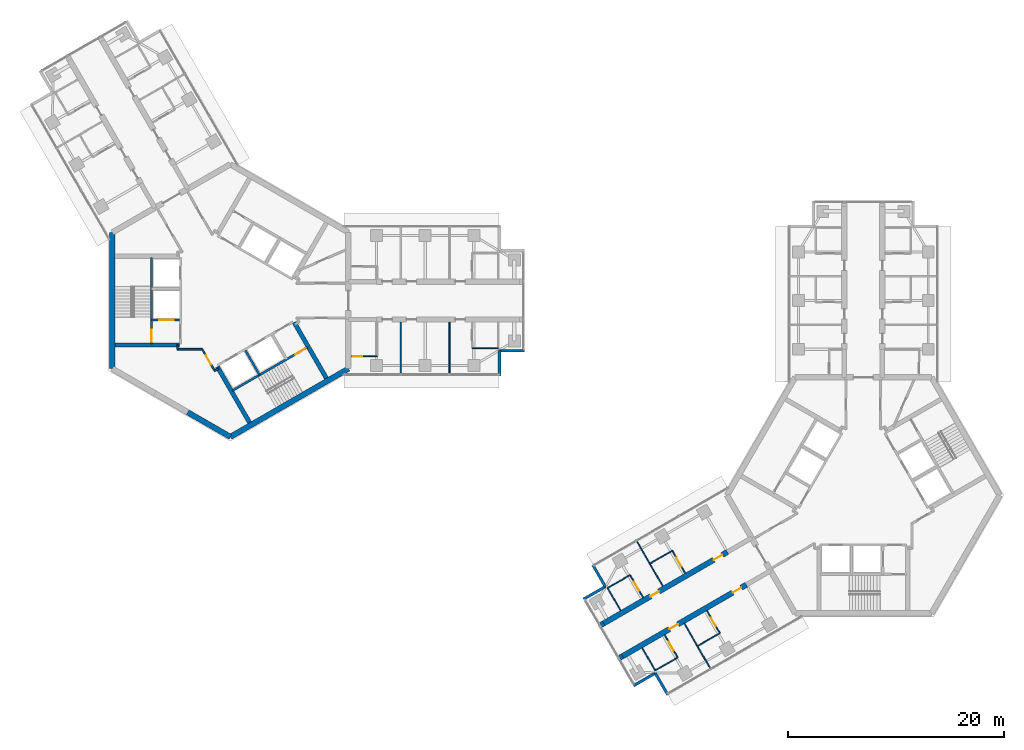
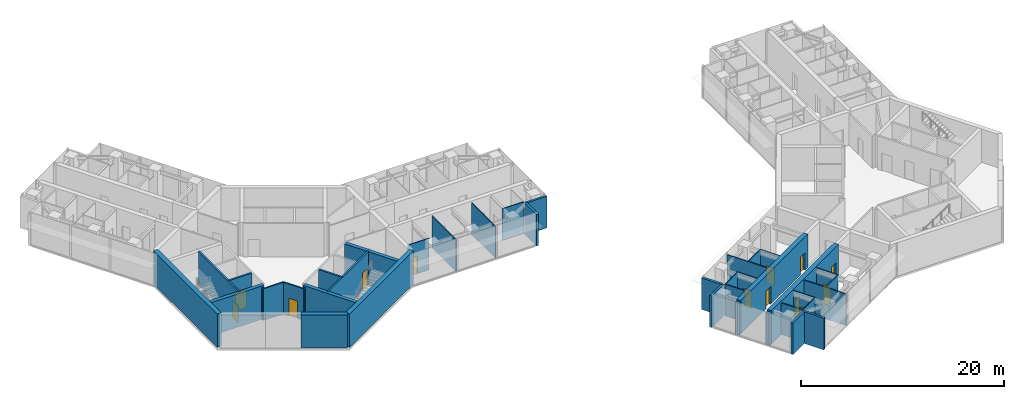
# One storey, part 11 of 18: 40 walls, 13 doors, 13 openings.
"""IFC4 building model written with IfcOpenShell, lengths in metres."""

from ifc_helpers import new_model, si_unit, direction, frame, frame_2d, origin, place, context, subcontext, project, spatial, rectangle, extrude, material, layer, layer_set, type_object, element, fill, save


model = new_model("IFC4")

# Units and contexts
model_context = context("Model", 3, precision=1e-05, world=origin(), true_north=direction((0.0, 1.0)))
body_context = subcontext(model_context, "Body", "Model", "MODEL_VIEW")
ifc_project = project(units=[si_unit("LENGTHUNIT", "METRE"), si_unit("AREAUNIT", "SQUARE_METRE"), si_unit("VOLUMEUNIT", "CUBIC_METRE"), si_unit("PLANEANGLEUNIT", "RADIAN"), si_unit("MASSUNIT", "GRAM", prefix="KILO")], contexts=[model_context])

# Site, building, storey
site_placement = place(None, origin())
site = spatial("IfcSite", under=ifc_project, at=site_placement, CompositionType="ELEMENT")
building_placement = place(site_placement, origin())
building = spatial("IfcBuilding", under=site, at=building_placement, Name="Upepo Twin Towers", CompositionType="ELEMENT")
storey_placement = place(building_placement, frame((0.0, 0.0, 218.5)))
storey = spatial("IfcBuildingStorey", under=building, at=storey_placement, Name="L53", CompositionType="ELEMENT", Elevation=218.5)

# Walls
ifc_material_1 = material(Name="Dense concrete blockwork", Category="masonry")
ifc_layer_1 = layer(ifc_material_1, 0.5)
ifc_layer_set_1 = layer_set([ifc_layer_1], Name="Buttress closer 500, blockwork with fire-stopping to the curtain wall")
wall_type_1 = type_object("IfcWallType", Name="Buttress closer 500, blockwork with fire-stopping to the curtain wall", PredefinedType="PARTITIONING", material=ifc_layer_set_1)
for number, where, z_axis, x_axis, name in (
    (1, (36.252197265625, -32.865478515625, 0.0), (0.0, 0.0, 1.0), (-0.86598763626, -0.500065409566, 0.0), "T2 L53 wing B buttress closer L"),
    (2, (34.502197265625, -29.83447265625, 0.0), (0.0, 0.0, 1.0), (-0.86598763626, -0.500065409566, 0.0), "T2 L53 wing B buttress closer R"),
):
    element("IfcWall", number, at=place(storey_placement, frame(where, z_axis=z_axis, x_axis=x_axis)), inside=storey, type_object=wall_type_1, Name=name, PredefinedType="PARTITIONING", context=body_context, shape_type="SweptSolid", body=[
        extrude(rectangle(XDim=0.28759765625, YDim=0.5, at=frame_2d((0.143798828125, 0.0))), origin(), (0.0, 0.0, 1.0), 3.800048828125),
    ])

# Wall, openings, doors
ifc_material_2 = material(Name="Concrete C60/75", Category="concrete")
ifc_layer_2 = layer(ifc_material_2, 0.5)
ifc_layer_set_2 = layer_set([ifc_layer_2], Name="Concrete C60/75")
wall_type_2 = type_object("IfcWallType", Name="Buttress wall 500 RC", PredefinedType="SHEAR", material=ifc_layer_set_2)
wall_1_placement = place(storey_placement, frame((47.68359375, -26.265625, 0.0), z_axis=(0.0, 0.0, 1.0), x_axis=(-0.866027579429, -0.499996231654, 0.0)))
wall_1 = element("IfcWall", 3, at=wall_1_placement, inside=storey, type_object=wall_type_2, Name="T2 wing B buttress wall L part 2", PredefinedType="SHEAR", context=body_context, shape_type="SweptSolid", body=[
    extrude(rectangle(XDim=13.19970703125, YDim=0.5, at=frame_2d((6.599853515625, 0.0))), origin(), (0.0, 0.0, 1.0), 4.0),
])
opening_1_placement = place(wall_1_placement, frame((0.550048828125, 0.0, 0.0)))
opening_1 = element("IfcOpeningElement", 4, at=opening_1_placement, cuts=wall_1, Name="Opening D14", PredefinedType="OPENING", context=body_context, shape_type="SweptSolid", body=[
    extrude(rectangle(XDim=0.89990234375, YDim=2.10009765625, at=frame_2d((0.449951171875, 1.050048828125))), frame((0.0, 0.260009765625, 0.0), z_axis=(0.0, -1.0, 0.0), x_axis=(1.0, 0.0, 0.0)), (0.0, 0.0, 1.0), 0.52001953125),
])
opening_2_placement = place(wall_1_placement, frame((7.300048828125, 0.0, 0.0)))
opening_2 = element("IfcOpeningElement", 5, at=opening_2_placement, cuts=wall_1, Name="Opening D14", PredefinedType="OPENING", context=body_context, shape_type="SweptSolid", body=[
    extrude(rectangle(XDim=0.89990234375, YDim=2.10009765625, at=frame_2d((0.449951171875, 1.050048828125))), frame((0.0, 0.260009765625, 0.0), z_axis=(0.0, -1.0, 0.0), x_axis=(1.0, 0.0, 0.0)), (0.0, 0.0, 1.0), 0.52001953125),
])
ifc_material_3 = material(Name="Timber doorset", Category="wood")
door_type_1 = type_object("IfcDoorType", Name="Office door 900 FD30", OperationType="SINGLE_SWING_LEFT", PredefinedType="DOOR", material=ifc_material_3)
door_1_placement = place(opening_1_placement, origin())
door_1 = element("IfcDoor", 6, at=door_1_placement, inside=storey, type_object=door_type_1, Name="T2 L53 business school suite door", OperationType="SINGLE_SWING_LEFT", OverallHeight=2.10009765625, OverallWidth=0.89990234375, PredefinedType="DOOR", context=body_context, shape_type="SweptSolid", body=[
    extrude(rectangle(XDim=0.89990234375, YDim=2.10009765625, at=frame_2d((0.449951171875, 1.050048828125))), frame((0.0, 0.02490234375, 0.0), z_axis=(0.0, -1.0, 0.0), x_axis=(1.0, 0.0, 0.0)), (0.0, 0.0, 1.0), 0.050048828125),
])
fill(opening_1, door_1)
door_2_placement = place(opening_2_placement, origin())
door_2 = element("IfcDoor", 7, at=door_2_placement, inside=storey, type_object=door_type_1, Name="T2 L53 staff office door", OperationType="SINGLE_SWING_RIGHT", OverallHeight=2.10009765625, OverallWidth=0.89990234375, PredefinedType="DOOR", context=body_context, shape_type="SweptSolid", body=[
    extrude(rectangle(XDim=0.89990234375, YDim=2.10009765625, at=frame_2d((0.449951171875, 1.050048828125))), frame((0.0, 0.02490234375, 0.0), z_axis=(0.0, -1.0, 0.0), x_axis=(1.0, 0.0, 0.0)), (0.0, 0.0, 1.0), 0.050048828125),
])
fill(opening_2, door_2)

wall_2_placement = place(storey_placement, frame((45.93359375, -23.234375, 0.0), z_axis=(0.0, 0.0, 1.0), x_axis=(-0.866019570528, -0.500010103361, 0.0)))
wall_2 = element("IfcWall", 8, at=wall_2_placement, inside=storey, type_object=wall_type_2, Name="T2 wing B buttress wall R part 2", PredefinedType="SHEAR", context=body_context, shape_type="SweptSolid", body=[
    extrude(rectangle(XDim=13.199951171875, YDim=0.5, at=frame_2d((6.60009765625, 0.0))), origin(), (0.0, 0.0, 1.0), 4.0),
])
opening_3_placement = place(wall_2_placement, frame((0.550048828125, 0.0, 0.0)))
opening_3 = element("IfcOpeningElement", 9, at=opening_3_placement, cuts=wall_2, Name="Opening D14", PredefinedType="OPENING", context=body_context, shape_type="SweptSolid", body=[
    extrude(rectangle(XDim=0.89990234375, YDim=2.10009765625, at=frame_2d((0.449951171875, 1.050048828125))), frame((0.0, 0.260009765625, 0.0), z_axis=(0.0, -1.0, 0.0), x_axis=(1.0, 0.0, 0.0)), (0.0, 0.0, 1.0), 0.52001953125),
])
opening_4_placement = place(wall_2_placement, frame((7.300048828125, 0.0, 0.0)))
opening_4 = element("IfcOpeningElement", 10, at=opening_4_placement, cuts=wall_2, Name="Opening D14", PredefinedType="OPENING", context=body_context, shape_type="SweptSolid", body=[
    extrude(rectangle(XDim=0.89990234375, YDim=2.10009765625, at=frame_2d((0.449951171875, 1.050048828125))), frame((0.0, 0.260009765625, 0.0), z_axis=(0.0, -1.0, 0.0), x_axis=(1.0, 0.0, 0.0)), (0.0, 0.0, 1.0), 0.52001953125),
])
door_3_placement = place(opening_3_placement, origin())
door_3 = element("IfcDoor", 11, at=door_3_placement, inside=storey, type_object=door_type_1, Name="T2 L53 business school suite door", OperationType="SINGLE_SWING_LEFT", OverallHeight=2.10009765625, OverallWidth=0.89990234375, PredefinedType="DOOR", context=body_context, shape_type="SweptSolid", body=[
    extrude(rectangle(XDim=0.89990234375, YDim=2.10009765625, at=frame_2d((0.449951171875, 1.050048828125))), frame((0.0, 0.02490234375, 0.0), z_axis=(0.0, -1.0, 0.0), x_axis=(1.0, 0.0, 0.0)), (0.0, 0.0, 1.0), 0.050048828125),
])
fill(opening_3, door_3)
door_4_placement = place(opening_4_placement, origin())
door_4 = element("IfcDoor", 12, at=door_4_placement, inside=storey, type_object=door_type_1, Name="T2 L53 meeting room door", OperationType="SINGLE_SWING_RIGHT", OverallHeight=2.10009765625, OverallWidth=0.89990234375, PredefinedType="DOOR", context=body_context, shape_type="SweptSolid", body=[
    extrude(rectangle(XDim=0.89990234375, YDim=2.10009765625, at=frame_2d((0.449951171875, 1.050048828125))), frame((0.0, 0.02490234375, 0.0), z_axis=(0.0, -1.0, 0.0), x_axis=(1.0, 0.0, 0.0)), (0.0, 0.0, 1.0), 0.050048828125),
])
fill(opening_4, door_4)

# Walls
ifc_material_4 = material(Name="Concrete C60/75", Category="concrete")
ifc_layer_3 = layer(ifc_material_4, 0.5)
ifc_layer_set_3 = layer_set([ifc_layer_3], Name="Concrete C60/75")
wall_type_3 = type_object("IfcWallType", Name="Core wall 500 RC", PredefinedType="SHEAR", material=ifc_layer_set_3)
wall_3_placement = place(storey_placement, frame((-10.908447265625, 6.2978515625, 0.0), z_axis=(0.0, 0.0, 1.0), x_axis=(0.0, -1.0, 0.0)))
element("IfcWall", 13, at=wall_3_placement, inside=storey, type_object=wall_type_3, Name="T1 core wall 180", PredefinedType="SHEAR", context=body_context, shape_type="SweptSolid", body=[
    extrude(rectangle(XDim=12.595703125, YDim=0.5, at=frame_2d((6.2978515625, 0.0))), origin(), (0.0, 0.0, 1.0), 4.0),
])
wall_4_placement = place(storey_placement, frame((-3.938720703125, -10.32177734375, 0.0), z_axis=(0.0, 0.0, 1.0), x_axis=(0.866011268655, -0.500024481964, 0.0)))
element("IfcWall", 14, at=wall_4_placement, inside=storey, type_object=wall_type_3, Name="T1 core wall 240 L", PredefinedType="SHEAR", context=body_context, shape_type="SweptSolid", body=[
    extrude(rectangle(XDim=4.548095703125, YDim=0.5, at=frame_2d((2.27392578125, 0.0))), origin(), (0.0, 0.0, 1.0), 4.0),
])
wall_5_placement = place(storey_placement, frame((0.0, -12.595947265625, 0.0), z_axis=(0.0, 0.0, 1.0), x_axis=(0.866021940709, 0.500005998175, 0.0)))
element("IfcWall", 15, at=wall_5_placement, inside=storey, type_object=wall_type_3, Name="T1 core wall 300", PredefinedType="SHEAR", context=body_context, shape_type="SweptSolid", body=[
    extrude(rectangle(XDim=12.595947265625, YDim=0.5, at=frame_2d((6.2978515625, 0.0))), origin(), (0.0, 0.0, 1.0), 4.0),
])
ifc_material_5 = material(Name="Blockwork with anodised aluminium cladding", Category="masonry")
ifc_layer_4 = layer(ifc_material_5, 0.25)
ifc_layer_set_4 = layer_set([ifc_layer_4], Name="Notch cladding wall 250, pale metal")
wall_type_4 = type_object("IfcWallType", Name="Notch cladding wall 250, pale metal", PredefinedType="STANDARD", material=ifc_layer_set_4)
for number, where, z_axis, x_axis, name in (
    (16, (24.875, -6.949951171875, 0.0), (0.0, 0.0, 1.0), (0.0, 1.0, 0.0), "T1 L53 wing A notch wall R1"),
    (17, (24.875, -4.625, 0.0), (0.0, 0.0, 1.0), (1.0, 0.0, 0.0), "T1 L53 wing A notch wall R2"),
    (18, (40.4326171875, -36.456298828125, 0.0), (0.0, 0.0, 1.0), (-0.500046648681, 0.865998469481, 0.0), "T2 L53 wing B notch wall L1"),
    (19, (39.27001953125, -34.44287109375, 0.0), (0.0, 0.0, 1.0), (-0.865998469481, -0.500046648681, 0.0), "T2 L53 wing B notch wall L2"),
    (20, (33.482666015625, -24.418701171875, 0.0), (0.0, 0.0, 1.0), (0.499967891604, -0.866043940782, 0.0), "T2 L53 wing B notch wall R1"),
    (21, (34.64501953125, -26.43212890625, 0.0), (0.0, 0.0, 1.0), (-0.865998469481, -0.500046648681, 0.0), "T2 L53 wing B notch wall R2"),
):
    element("IfcWall", number, at=place(storey_placement, frame(where, z_axis=z_axis, x_axis=x_axis)), inside=storey, type_object=wall_type_4, Name=name, PredefinedType="STANDARD", context=body_context, shape_type="SweptSolid", body=[
        extrude(rectangle(XDim=2.324951171875, YDim=0.25, at=frame_2d((1.16259765625, 0.0))), origin(), (0.0, 0.0, 1.0), 3.800048828125),
    ])
ifc_material_6 = material(Name="Gypsum board on steel studs", Category="steel")
ifc_layer_5 = layer(ifc_material_6, 0.10009765625)
ifc_layer_set_5 = layer_set([ifc_layer_5], Name="Office partition 100 stud")
wall_type_5 = type_object("IfcWallType", Name="Office partition 100 stud", PredefinedType="PARTITIONING", material=ifc_layer_set_5)
for number, where, z_axis, x_axis, name in (
    (22, (15.75, -2.0, 0.0), (0.0, 0.0, 1.0), (0.0, -1.0, 0.0), "T1 partition AR at 15.75"),
    (23, (20.25, -2.0, 0.0), (0.0, 0.0, 1.0), (0.0, -1.0, 0.0), "T1 partition AR at 20.25"),
):
    element("IfcWall", number, at=place(storey_placement, frame(where, z_axis=z_axis, x_axis=x_axis)), inside=storey, type_object=wall_type_5, Name=name, PredefinedType="PARTITIONING", context=body_context, shape_type="SweptSolid", body=[
        extrude(rectangle(XDim=4.75, YDim=0.10009765625, at=frame_2d((2.375, 0.0))), origin(), (0.0, 0.0, 1.0), 3.800048828125),
    ])
wall_6_placement = place(storey_placement, frame((22.35009765625, -4.39990234375, 0.0), z_axis=(0.0, 0.0, 1.0), x_axis=(1.0, 0.0, 0.0)))
element("IfcWall", 24, at=wall_6_placement, inside=storey, type_object=wall_type_5, Name="T1 inner room partition AR at 22.35", PredefinedType="PARTITIONING", context=body_context, shape_type="SweptSolid", body=[
    extrude(rectangle(XDim=2.39990234375, YDim=0.10009765625, at=frame_2d((1.199951171875, 0.0))), origin(), (0.0, 0.0, 1.0), 3.800048828125),
])

# Wall, opening, door
wall_7_placement = place(storey_placement, frame((11.157958984375, -5.14990234375, 0.0), z_axis=(0.0, 0.0, 1.0), x_axis=(1.0, 0.0, 0.0)))
wall_7 = element("IfcWall", 25, at=wall_7_placement, inside=storey, type_object=wall_type_5, Name="T1 WC bay partition AR at 11.16", PredefinedType="PARTITIONING", context=body_context, shape_type="SweptSolid", body=[
    extrude(rectangle(XDim=2.400146484375, YDim=0.10009765625, at=frame_2d((1.2001953125, 0.0))), origin(), (0.0, 0.0, 1.0), 3.800048828125),
])
opening_5_placement = place(wall_7_placement, frame((0.14990234375, 0.0, 0.0)))
opening_5 = element("IfcOpeningElement", 26, at=opening_5_placement, cuts=wall_7, Name="Opening D14", PredefinedType="OPENING", context=body_context, shape_type="SweptSolid", body=[
    extrude(rectangle(XDim=0.89990234375, YDim=2.10009765625, at=frame_2d((0.449951171875, 1.050048828125))), frame((0.0, 0.06005859375, 0.0), z_axis=(0.0, -1.0, 0.0), x_axis=(1.0, 0.0, 0.0)), (0.0, 0.0, 1.0), 0.1201171875),
])
door_5_placement = place(opening_5_placement, origin())
door_5 = element("IfcDoor", 27, at=door_5_placement, inside=storey, type_object=door_type_1, Name="T1 L53 WC bay inner room door", OperationType="SINGLE_SWING_LEFT", OverallHeight=2.10009765625, OverallWidth=0.89990234375, PredefinedType="DOOR", context=body_context, shape_type="SweptSolid", body=[
    extrude(rectangle(XDim=0.89990234375, YDim=2.10009765625, at=frame_2d((0.449951171875, 1.050048828125))), frame((0.0, 0.02490234375, 0.0), z_axis=(0.0, -1.0, 0.0), x_axis=(1.0, 0.0, 0.0)), (0.0, 0.0, 1.0), 0.050048828125),
])
fill(opening_5, door_5)

# Walls
wall_8_placement = place(storey_placement, frame((41.962890625, -29.85693359375, 0.0), z_axis=(0.0, 0.0, 1.0), x_axis=(0.499986429846, -0.866033238375, 0.0)))
element("IfcWall", 28, at=wall_8_placement, inside=storey, type_object=wall_type_5, Name="T2 partition BL at 20.25", PredefinedType="PARTITIONING", context=body_context, shape_type="SweptSolid", body=[
    extrude(rectangle(XDim=4.750244140625, YDim=0.10009765625, at=frame_2d((2.375, 0.0))), origin(), (0.0, 0.0, 1.0), 3.800048828125),
])
wall_9_placement = place(storey_placement, frame((45.241455078125, -30.735595703125, 0.0), z_axis=(0.0, 0.0, 1.0), x_axis=(-0.866024647952, -0.500001309137, 0.0)))
element("IfcWall", 29, at=wall_9_placement, inside=storey, type_object=wall_type_5, Name="T2 inner room partition BL at 17.85", PredefinedType="PARTITIONING", context=body_context, shape_type="SweptSolid", body=[
    extrude(rectangle(XDim=2.39990234375, YDim=0.10009765625, at=frame_2d((1.199951171875, 0.0))), origin(), (0.0, 0.0, 1.0), 3.800048828125),
])

# Wall, opening, door
wall_10_placement = place(storey_placement, frame((44.04150390625, -28.656982421875, 0.0), z_axis=(0.0, 0.0, 1.0), x_axis=(0.499957262057, -0.866050077142, 0.0)))
wall_10 = element("IfcWall", 30, at=wall_10_placement, inside=storey, type_object=wall_type_5, Name="T2 inner room partition BL end at 17.85", PredefinedType="PARTITIONING", context=body_context, shape_type="SweptSolid", body=[
    extrude(rectangle(XDim=2.400146484375, YDim=0.10009765625, at=frame_2d((1.2001953125, 0.0))), origin(), (0.0, 0.0, 1.0), 3.800048828125),
])
opening_6_placement = place(wall_10_placement, frame((0.75, 0.0, 0.0)))
opening_6 = element("IfcOpeningElement", 31, at=opening_6_placement, cuts=wall_10, Name="Opening D14", PredefinedType="OPENING", context=body_context, shape_type="SweptSolid", body=[
    extrude(rectangle(XDim=0.89990234375, YDim=2.10009765625, at=frame_2d((0.449951171875, 1.050048828125))), frame((0.0, 0.06005859375, 0.0), z_axis=(0.0, -1.0, 0.0), x_axis=(1.0, 0.0, 0.0)), (0.0, 0.0, 1.0), 0.1201171875),
])
door_6_placement = place(opening_6_placement, origin())
door_6 = element("IfcDoor", 32, at=door_6_placement, inside=storey, type_object=door_type_1, Name="T2 L53 inner room door", OperationType="SINGLE_SWING_LEFT", OverallHeight=2.10009765625, OverallWidth=0.89990234375, PredefinedType="DOOR", context=body_context, shape_type="SweptSolid", body=[
    extrude(rectangle(XDim=0.89990234375, YDim=2.10009765625, at=frame_2d((0.449951171875, 1.050048828125))), frame((0.0, 0.02490234375, 0.0), z_axis=(0.0, -1.0, 0.0), x_axis=(1.0, 0.0, 0.0)), (0.0, 0.0, 1.0), 0.050048828125),
])
fill(opening_6, door_6)

# Wall
wall_11_placement = place(storey_placement, frame((41.34423828125, -32.985595703125, 0.0), z_axis=(0.0, 0.0, 1.0), x_axis=(-0.866024647952, -0.500001309137, 0.0)))
element("IfcWall", 33, at=wall_11_placement, inside=storey, type_object=wall_type_5, Name="T2 inner room partition BL at 22.35", PredefinedType="PARTITIONING", context=body_context, shape_type="SweptSolid", body=[
    extrude(rectangle(XDim=2.39990234375, YDim=0.10009765625, at=frame_2d((1.199951171875, 0.0))), origin(), (0.0, 0.0, 1.0), 3.800048828125),
])

# Wall, opening, door
wall_12_placement = place(storey_placement, frame((40.144287109375, -30.906982421875, 0.0), z_axis=(0.0, 0.0, 1.0), x_axis=(0.499957262057, -0.866050077142, 0.0)))
wall_12 = element("IfcWall", 34, at=wall_12_placement, inside=storey, type_object=wall_type_5, Name="T2 inner room partition BL end at 22.35", PredefinedType="PARTITIONING", context=body_context, shape_type="SweptSolid", body=[
    extrude(rectangle(XDim=2.400146484375, YDim=0.10009765625, at=frame_2d((1.2001953125, 0.0))), origin(), (0.0, 0.0, 1.0), 3.800048828125),
])
opening_7_placement = place(wall_12_placement, frame((0.75, 0.0, 0.0)))
opening_7 = element("IfcOpeningElement", 35, at=opening_7_placement, cuts=wall_12, Name="Opening D14", PredefinedType="OPENING", context=body_context, shape_type="SweptSolid", body=[
    extrude(rectangle(XDim=0.89990234375, YDim=2.10009765625, at=frame_2d((0.449951171875, 1.050048828125))), frame((0.0, 0.06005859375, 0.0), z_axis=(0.0, -1.0, 0.0), x_axis=(1.0, 0.0, 0.0)), (0.0, 0.0, 1.0), 0.1201171875),
])
door_7_placement = place(opening_7_placement, origin())
door_7 = element("IfcDoor", 36, at=door_7_placement, inside=storey, type_object=door_type_1, Name="T2 L53 inner room door", OperationType="SINGLE_SWING_LEFT", OverallHeight=2.10009765625, OverallWidth=0.89990234375, PredefinedType="DOOR", context=body_context, shape_type="SweptSolid", body=[
    extrude(rectangle(XDim=0.89990234375, YDim=2.10009765625, at=frame_2d((0.449951171875, 1.050048828125))), frame((0.0, 0.02490234375, 0.0), z_axis=(0.0, -1.0, 0.0), x_axis=(1.0, 0.0, 0.0)), (0.0, 0.0, 1.0), 0.050048828125),
])
fill(opening_7, door_7)

# Walls
wall_13_placement = place(storey_placement, frame((38.06591796875, -32.10693359375, 0.0), z_axis=(0.0, 0.0, 1.0), x_axis=(0.499957262057, -0.866050077142, 0.0)))
element("IfcWall", 37, at=wall_13_placement, inside=storey, type_object=wall_type_5, Name="T2 inner room partition BL end at 24.75", PredefinedType="PARTITIONING", context=body_context, shape_type="SweptSolid", body=[
    extrude(rectangle(XDim=2.400146484375, YDim=0.10009765625, at=frame_2d((1.2001953125, 0.0))), origin(), (0.0, 0.0, 1.0), 3.800048828125),
])
wall_14_placement = place(storey_placement, frame((39.962890625, -26.39306640625, 0.0), z_axis=(0.0, 0.0, 1.0), x_axis=(-0.499986429846, 0.866033238375, 0.0)))
element("IfcWall", 38, at=wall_14_placement, inside=storey, type_object=wall_type_5, Name="T2 partition BR at 20.25", PredefinedType="PARTITIONING", context=body_context, shape_type="SweptSolid", body=[
    extrude(rectangle(XDim=4.750244140625, YDim=0.10009765625, at=frame_2d((2.375, 0.0))), origin(), (0.0, 0.0, 1.0), 3.800048828125),
])
wall_15_placement = place(storey_placement, frame((40.841552734375, -23.114501953125, 0.0), z_axis=(0.0, 0.0, 1.0), x_axis=(-0.866050077142, -0.499957262057, 0.0)))
element("IfcWall", 39, at=wall_15_placement, inside=storey, type_object=wall_type_5, Name="T2 inner room partition BR at 17.85", PredefinedType="PARTITIONING", context=body_context, shape_type="SweptSolid", body=[
    extrude(rectangle(XDim=2.400146484375, YDim=0.10009765625, at=frame_2d((1.2001953125, 0.0))), origin(), (0.0, 0.0, 1.0), 3.800048828125),
])

# Wall, opening, door
wall_16_placement = place(storey_placement, frame((42.04150390625, -25.19287109375, 0.0), z_axis=(0.0, 0.0, 1.0), x_axis=(-0.500001309137, 0.866024647952, 0.0)))
wall_16 = element("IfcWall", 40, at=wall_16_placement, inside=storey, type_object=wall_type_5, Name="T2 inner room partition BR end at 17.85", PredefinedType="PARTITIONING", context=body_context, shape_type="SweptSolid", body=[
    extrude(rectangle(XDim=2.39990234375, YDim=0.10009765625, at=frame_2d((1.199951171875, 0.0))), origin(), (0.0, 0.0, 1.0), 3.800048828125),
])
opening_8_placement = place(wall_16_placement, frame((0.75, 0.0, 0.0)))
opening_8 = element("IfcOpeningElement", 41, at=opening_8_placement, cuts=wall_16, Name="Opening D14", PredefinedType="OPENING", context=body_context, shape_type="SweptSolid", body=[
    extrude(rectangle(XDim=0.89990234375, YDim=2.10009765625, at=frame_2d((0.449951171875, 1.050048828125))), frame((0.0, 0.06005859375, 0.0), z_axis=(0.0, -1.0, 0.0), x_axis=(1.0, 0.0, 0.0)), (0.0, 0.0, 1.0), 0.1201171875),
])
door_8_placement = place(opening_8_placement, origin())
door_8 = element("IfcDoor", 42, at=door_8_placement, inside=storey, type_object=door_type_1, Name="T2 L53 inner room door", OperationType="SINGLE_SWING_LEFT", OverallHeight=2.10009765625, OverallWidth=0.89990234375, PredefinedType="DOOR", context=body_context, shape_type="SweptSolid", body=[
    extrude(rectangle(XDim=0.89990234375, YDim=2.10009765625, at=frame_2d((0.449951171875, 1.050048828125))), frame((0.0, 0.02490234375, 0.0), z_axis=(0.0, -1.0, 0.0), x_axis=(1.0, 0.0, 0.0)), (0.0, 0.0, 1.0), 0.050048828125),
])
fill(opening_8, door_8)

# Wall
wall_17_placement = place(storey_placement, frame((36.9443359375, -25.364501953125, 0.0), z_axis=(0.0, 0.0, 1.0), x_axis=(-0.866024647952, -0.500001309137, 0.0)))
element("IfcWall", 43, at=wall_17_placement, inside=storey, type_object=wall_type_5, Name="T2 inner room partition BR at 22.35", PredefinedType="PARTITIONING", context=body_context, shape_type="SweptSolid", body=[
    extrude(rectangle(XDim=2.39990234375, YDim=0.10009765625, at=frame_2d((1.199951171875, 0.0))), origin(), (0.0, 0.0, 1.0), 3.800048828125),
])

# Wall, opening, door
wall_18_placement = place(storey_placement, frame((38.144287109375, -27.44287109375, 0.0), z_axis=(0.0, 0.0, 1.0), x_axis=(-0.500001309137, 0.866024647952, 0.0)))
wall_18 = element("IfcWall", 44, at=wall_18_placement, inside=storey, type_object=wall_type_5, Name="T2 inner room partition BR end at 22.35", PredefinedType="PARTITIONING", context=body_context, shape_type="SweptSolid", body=[
    extrude(rectangle(XDim=2.39990234375, YDim=0.10009765625, at=frame_2d((1.199951171875, 0.0))), origin(), (0.0, 0.0, 1.0), 3.800048828125),
])
opening_9_placement = place(wall_18_placement, frame((0.75, 0.0, 0.0)))
opening_9 = element("IfcOpeningElement", 45, at=opening_9_placement, cuts=wall_18, Name="Opening D14", PredefinedType="OPENING", context=body_context, shape_type="SweptSolid", body=[
    extrude(rectangle(XDim=0.89990234375, YDim=2.10009765625, at=frame_2d((0.449951171875, 1.050048828125))), frame((0.0, 0.06005859375, 0.0), z_axis=(0.0, -1.0, 0.0), x_axis=(1.0, 0.0, 0.0)), (0.0, 0.0, 1.0), 0.1201171875),
])
door_9_placement = place(opening_9_placement, origin())
door_9 = element("IfcDoor", 46, at=door_9_placement, inside=storey, type_object=door_type_1, Name="T2 L53 inner room door", OperationType="SINGLE_SWING_LEFT", OverallHeight=2.10009765625, OverallWidth=0.89990234375, PredefinedType="DOOR", context=body_context, shape_type="SweptSolid", body=[
    extrude(rectangle(XDim=0.89990234375, YDim=2.10009765625, at=frame_2d((0.449951171875, 1.050048828125))), frame((0.0, 0.02490234375, 0.0), z_axis=(0.0, -1.0, 0.0), x_axis=(1.0, 0.0, 0.0)), (0.0, 0.0, 1.0), 0.050048828125),
])
fill(opening_9, door_9)

# Wall
wall_19_placement = place(storey_placement, frame((36.06591796875, -28.64306640625, 0.0), z_axis=(0.0, 0.0, 1.0), x_axis=(-0.499957262057, 0.866050077142, 0.0)))
element("IfcWall", 47, at=wall_19_placement, inside=storey, type_object=wall_type_5, Name="T2 inner room partition BR end at 24.75", PredefinedType="PARTITIONING", context=body_context, shape_type="SweptSolid", body=[
    extrude(rectangle(XDim=2.400146484375, YDim=0.10009765625, at=frame_2d((1.2001953125, 0.0))), origin(), (0.0, 0.0, 1.0), 3.800048828125),
])

# Wall, opening, door
ifc_material_7 = material(Name="Concrete C40/50", Category="concrete")
ifc_layer_6 = layer(ifc_material_7, 0.199951171875)
ifc_layer_set_6 = layer_set([ifc_layer_6], Name="Concrete C40/50")
wall_type_6 = type_object("IfcWallType", Name="Shaft wall 200 RC", PredefinedType="SHEAR", material=ifc_layer_set_6)
wall_20_placement = place(storey_placement, frame((-4.699951171875, -1.800048828125, 0.0), z_axis=(0.0, 0.0, 1.0), x_axis=(-1.0, 0.0, 0.0)))
wall_20 = element("IfcWall", 48, at=wall_20_placement, inside=storey, type_object=wall_type_6, Name="T1 core W180 lobby wall", PredefinedType="SHEAR", context=body_context, shape_type="SweptSolid", body=[
    extrude(rectangle(XDim=2.60009765625, YDim=0.199951171875, at=frame_2d((1.300048828125, 0.0))), origin(), (0.0, 0.0, 1.0), 4.0),
])
opening_10_placement = place(wall_20_placement, frame((0.550048828125, 0.0, 0.0)))
opening_10 = element("IfcOpeningElement", 49, at=opening_10_placement, cuts=wall_20, Name="Opening LD2", PredefinedType="OPENING", context=body_context, shape_type="SweptSolid", body=[
    extrude(rectangle(XDim=1.300048828125, YDim=2.199951171875, at=frame_2d((0.64990234375, 1.10009765625))), frame((0.0, 0.10986328125, 0.0), z_axis=(0.0, -1.0, 0.0), x_axis=(1.0, 0.0, 0.0)), (0.0, 0.0, 1.0), 0.219970703125),
])
ifc_material_8 = material(Name="Steel doorset", Category="steel")
door_type_2 = type_object("IfcDoorType", Name="Firefighting lift landing door 1300", OperationType="DOUBLE_DOOR_SLIDING", PredefinedType="DOOR", material=ifc_material_8)
door_10_placement = place(opening_10_placement, origin())
door_10 = element("IfcDoor", 50, at=door_10_placement, inside=storey, type_object=door_type_2, Name="T1 L53 firefighting lift landing door", OperationType="DOUBLE_DOOR_SLIDING", OverallHeight=2.199951171875, OverallWidth=1.300048828125, PredefinedType="DOOR", context=body_context, shape_type="SweptSolid", body=[
    extrude(rectangle(XDim=1.300048828125, YDim=2.199951171875, at=frame_2d((0.64990234375, 1.10009765625))), frame((0.0, 0.02490234375, 0.0), z_axis=(0.0, -1.0, 0.0), x_axis=(1.0, 0.0, 0.0)), (0.0, 0.0, 1.0), 0.050048828125),
])
fill(opening_10, door_10)

wall_21_placement = place(storey_placement, frame((-7.300048828125, 4.0, 0.0), z_axis=(0.0, 0.0, 1.0), x_axis=(0.0, -1.0, 0.0)))
wall_21 = element("IfcWall", 51, at=wall_21_placement, inside=storey, type_object=wall_type_6, Name="T1 core W180 stair wall", PredefinedType="SHEAR", context=body_context, shape_type="SweptSolid", body=[
    extrude(rectangle(XDim=8.0, YDim=0.199951171875, at=frame_2d((4.0, 0.0))), origin(), (0.0, 0.0, 1.0), 4.0),
])
opening_11_placement = place(wall_21_placement, frame((6.699951171875, 0.0, 0.0)))
opening_11 = element("IfcOpeningElement", 52, at=opening_11_placement, cuts=wall_21, Name="Opening D3", PredefinedType="OPENING", context=body_context, shape_type="SweptSolid", body=[
    extrude(rectangle(XDim=1.10009765625, YDim=2.10009765625, at=frame_2d((0.550048828125, 1.050048828125))), frame((0.0, 0.10986328125, 0.0), z_axis=(0.0, -1.0, 0.0), x_axis=(1.0, 0.0, 0.0)), (0.0, 0.0, 1.0), 0.219970703125),
])
ifc_material_9 = material(Name="Timber doorset", Category="wood")
door_type_3 = type_object("IfcDoorType", Name="Stair door 1100 FD60", OperationType="SINGLE_SWING_LEFT", PredefinedType="DOOR", material=ifc_material_9)
door_11_placement = place(opening_11_placement, origin())
door_11 = element("IfcDoor", 53, at=door_11_placement, inside=storey, type_object=door_type_3, Name="T1 L53 stair door", OperationType="SINGLE_SWING_RIGHT", OverallHeight=2.10009765625, OverallWidth=1.10009765625, PredefinedType="DOOR", context=body_context, shape_type="SweptSolid", body=[
    extrude(rectangle(XDim=1.10009765625, YDim=2.10009765625, at=frame_2d((0.550048828125, 1.050048828125))), frame((0.0, 0.02490234375, 0.0), z_axis=(0.0, -1.0, 0.0), x_axis=(1.0, 0.0, 0.0)), (0.0, 0.0, 1.0), 0.050048828125),
])
fill(opening_11, door_11)

# Wall
wall_22_placement = place(storey_placement, frame((1.3974609375, -4.620361328125, 0.0), z_axis=(0.0, 0.0, 1.0), x_axis=(0.499936506574, -0.866062058628, 0.0)))
element("IfcWall", 54, at=wall_22_placement, inside=storey, type_object=wall_type_6, Name="T1 core W300 shaft divider", PredefinedType="SHEAR", context=body_context, shape_type="SweptSolid", body=[
    extrude(rectangle(XDim=2.599853515625, YDim=0.199951171875, at=frame_2d((1.2998046875, 0.0))), origin(), (0.0, 0.0, 1.0), 4.0),
])

# Wall, opening, door
wall_23_placement = place(storey_placement, frame((0.185791015625, -8.322021484375, 0.0), z_axis=(0.0, 0.0, 1.0), x_axis=(0.866026010844, 0.49999894854, 0.0)))
wall_23 = element("IfcWall", 55, at=wall_23_placement, inside=storey, type_object=wall_type_6, Name="T1 core W300 stair wall", PredefinedType="SHEAR", context=body_context, shape_type="SweptSolid", body=[
    extrude(rectangle(XDim=8.0, YDim=0.199951171875, at=frame_2d((4.0, 0.0))), origin(), (0.0, 0.0, 1.0), 4.0),
])
opening_12_placement = place(wall_23_placement, frame((6.699951171875, 0.0, 0.0)))
opening_12 = element("IfcOpeningElement", 56, at=opening_12_placement, cuts=wall_23, Name="Opening D3", PredefinedType="OPENING", context=body_context, shape_type="SweptSolid", body=[
    extrude(rectangle(XDim=1.10009765625, YDim=2.10009765625, at=frame_2d((0.550048828125, 1.050048828125))), frame((0.0, 0.10986328125, 0.0), z_axis=(0.0, -1.0, 0.0), x_axis=(1.0, 0.0, 0.0)), (0.0, 0.0, 1.0), 0.219970703125),
])
door_12_placement = place(opening_12_placement, origin())
door_12 = element("IfcDoor", 57, at=door_12_placement, inside=storey, type_object=door_type_3, Name="T1 L53 stair door", OperationType="SINGLE_SWING_RIGHT", OverallHeight=2.10009765625, OverallWidth=1.10009765625, PredefinedType="DOOR", context=body_context, shape_type="SweptSolid", body=[
    extrude(rectangle(XDim=1.10009765625, YDim=2.10009765625, at=frame_2d((0.550048828125, 1.050048828125))), frame((0.0, 0.02490234375, 0.0), z_axis=(0.0, -1.0, 0.0), x_axis=(1.0, 0.0, 0.0)), (0.0, 0.0, 1.0), 0.050048828125),
])
fill(opening_12, door_12)

# Walls
ifc_material_10 = material(Name="Concrete C40/50", Category="concrete")
ifc_layer_7 = layer(ifc_material_10, 0.39990234375)
ifc_layer_set_7 = layer_set([ifc_layer_7], Name="Concrete C40/50")
wall_type_7 = type_object("IfcWallType", Name="Shaft wall 400 RC", PredefinedType="SHEAR", material=ifc_layer_set_7)
for number, where, z_axis, x_axis, name in (
    (58, (-4.699951171875, -4.10009765625, 0.0), (0.0, 0.0, 1.0), (-1.0, 0.0, 0.0), "T1 core W180 side wall N"),
    (59, (5.900634765625, -2.020263671875, 0.0), (0.0, 0.0, 1.0), (0.500003832394, -0.86602319114, 0.0), "T1 core W300 side wall N"),
):
    element("IfcWall", number, at=place(storey_placement, frame(where, z_axis=z_axis, x_axis=x_axis)), inside=storey, type_object=wall_type_7, Name=name, PredefinedType="SHEAR", context=body_context, shape_type="SweptSolid", body=[
        extrude(rectangle(XDim=5.95849609375, YDim=0.39990234375, at=frame_2d((2.979248046875, 0.0))), origin(), (0.0, 0.0, 1.0), 4.0),
    ])
wall_24_placement = place(storey_placement, frame((-1.20068359375, -6.120361328125, 0.0), z_axis=(0.0, 0.0, 1.0), x_axis=(0.500021575205, -0.866012946976, 0.0)))
element("IfcWall", 60, at=wall_24_placement, inside=storey, type_object=wall_type_7, Name="T1 core W300 side wall S", PredefinedType="SHEAR", context=body_context, shape_type="SweptSolid", body=[
    extrude(rectangle(XDim=5.958251953125, YDim=0.39990234375, at=frame_2d((2.97900390625, 0.0))), origin(), (0.0, 0.0, 1.0), 4.0),
])
ifc_material_11 = material(Name="Gypsum board on steel studs", Category="steel")
ifc_layer_8 = layer(ifc_material_11, 0.14990234375)
ifc_layer_set_8 = layer_set([ifc_layer_8], Name="Teaching partition 150 acoustic")
wall_type_8 = type_object("IfcWallType", Name="Teaching partition 150 acoustic", PredefinedType="PARTITIONING", material=ifc_layer_set_8)
wall_25_placement = place(storey_placement, frame((-1.092041015625, -6.28857421875, 0.0), z_axis=(0.0, 0.0, 1.0), x_axis=(-0.866138304741, -0.499804398801, 0.0)))
element("IfcWall", 61, at=wall_25_placement, inside=storey, type_object=wall_type_8, Name="T1 core room partition 2", PredefinedType="PARTITIONING", context=body_context, shape_type="SweptSolid", body=[
    extrude(rectangle(XDim=0.429931640625, YDim=0.14990234375, at=frame_2d((0.21484375, 0.0))), origin(), (0.0, 0.0, 1.0), 3.800048828125),
])

# Wall, opening, door
wall_26_placement = place(storey_placement, frame((-1.43701171875, -6.5107421875, 0.0), z_axis=(0.0, 0.0, 1.0), x_axis=(-0.500074377092, 0.865982457891, 0.0)))
wall_26 = element("IfcWall", 62, at=wall_26_placement, inside=storey, type_object=wall_type_8, Name="T1 core room partition 3", PredefinedType="PARTITIONING", context=body_context, shape_type="SweptSolid", body=[
    extrude(rectangle(XDim=2.342041015625, YDim=0.14990234375, at=frame_2d((1.1708984375, 0.0))), origin(), (0.0, 0.0, 1.0), 3.800048828125),
])
opening_13_placement = place(wall_26_placement, frame((0.6708984375, 0.0, 0.0)))
opening_13 = element("IfcOpeningElement", 63, at=opening_13_placement, cuts=wall_26, Name="Opening D1", PredefinedType="OPENING", context=body_context, shape_type="SweptSolid", body=[
    extrude(rectangle(XDim=1.0, YDim=2.10009765625, at=frame_2d((0.5, 1.050048828125))), frame((0.0, 0.0849609375, 0.0), z_axis=(0.0, -1.0, 0.0), x_axis=(1.0, 0.0, 0.0)), (0.0, 0.0, 1.0), 0.169921875),
])
ifc_material_12 = material(Name="Timber doorset", Category="wood")
door_type_4 = type_object("IfcDoorType", Name="Room door 1000 FD30", OperationType="SINGLE_SWING_LEFT", PredefinedType="DOOR", material=ifc_material_12)
door_13_placement = place(opening_13_placement, origin())
door_13 = element("IfcDoor", 64, at=door_13_placement, inside=storey, type_object=door_type_4, Name="T1 L53 core room door K1", OperationType="SINGLE_SWING_RIGHT", OverallHeight=2.10009765625, OverallWidth=1.0, PredefinedType="DOOR", context=body_context, shape_type="SweptSolid", body=[
    extrude(rectangle(XDim=1.0, YDim=2.10009765625, at=frame_2d((0.5, 1.050048828125))), frame((0.0, 0.02490234375, 0.0), z_axis=(0.0, -1.0, 0.0), x_axis=(1.0, 0.0, 0.0)), (0.0, 0.0, 1.0), 0.050048828125),
])
fill(opening_13, door_13)

# Walls
wall_27_placement = place(storey_placement, frame((-2.578125, -4.5, 0.0), z_axis=(0.0, 0.0, 1.0), x_axis=(-1.0, 0.0, 0.0)))
element("IfcWall", 65, at=wall_27_placement, inside=storey, type_object=wall_type_8, Name="T1 core room partition 4", PredefinedType="PARTITIONING", context=body_context, shape_type="SweptSolid", body=[
    extrude(rectangle(XDim=2.341796875, YDim=0.14990234375, at=frame_2d((1.1708984375, 0.0))), origin(), (0.0, 0.0, 1.0), 3.800048828125),
])
wall_28_placement = place(storey_placement, frame((-4.89990234375, -4.52001953125, 0.0), z_axis=(0.0, 0.0, 1.0), x_axis=(0.0, 1.0, 0.0)))
element("IfcWall", 66, at=wall_28_placement, inside=storey, type_object=wall_type_8, Name="T1 core room partition 5", PredefinedType="PARTITIONING", context=body_context, shape_type="SweptSolid", body=[
    extrude(rectangle(XDim=0.429931640625, YDim=0.14990234375, at=frame_2d((0.21484375, 0.0))), origin(), (0.0, 0.0, 1.0), 3.800048828125),
])

save(model, "model.ifc")
